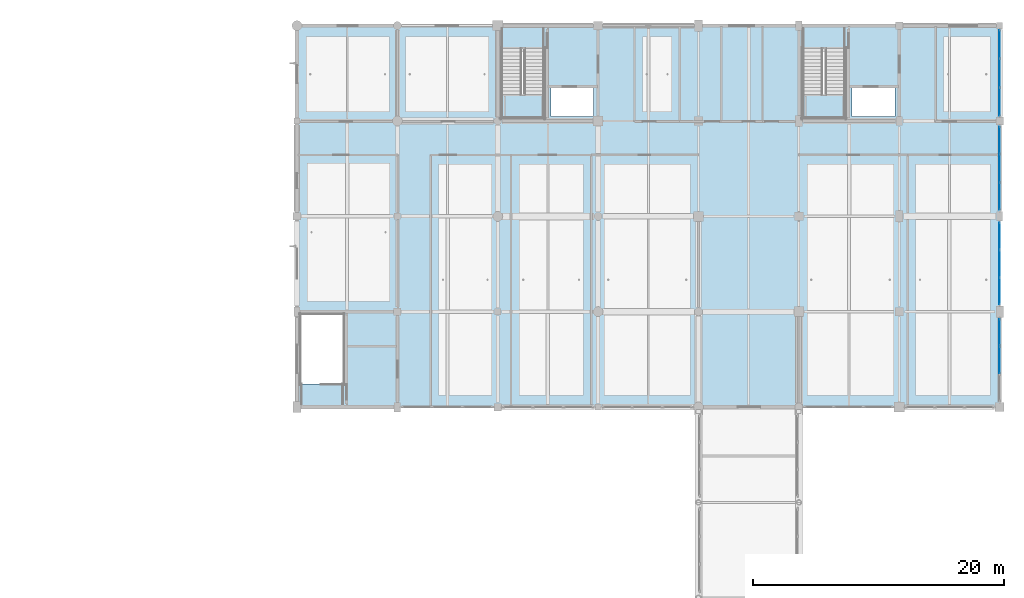
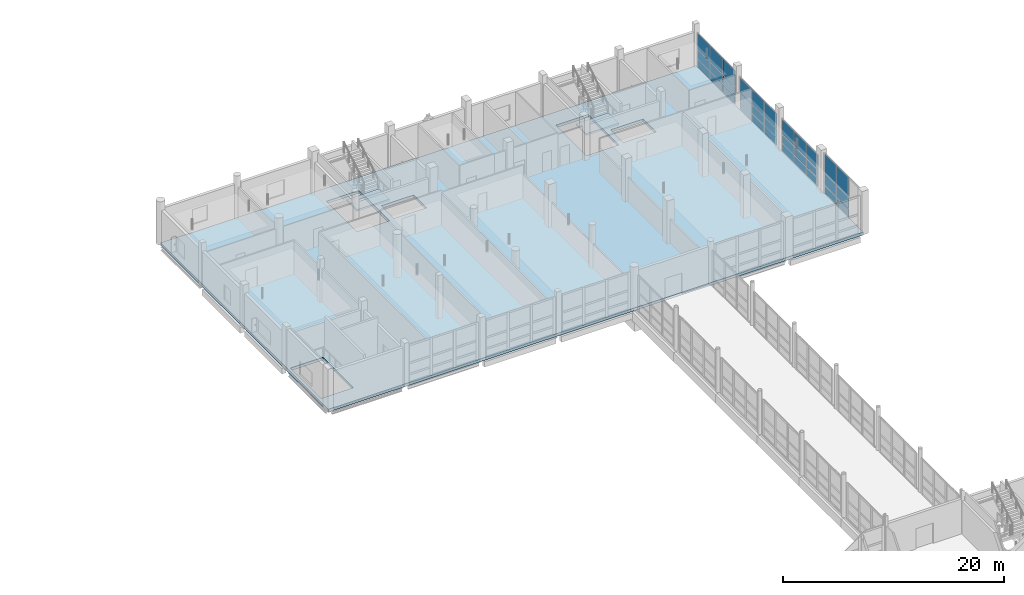
# One storey, part 78 of 147: 33 plates, 3 slabs, 6 elements without a shape of their own.
"""IFC4 building model written with IfcOpenShell, lengths in metres."""

from ifc_helpers import new_model, si_unit, direction, frame, origin, origin_2d, place, context, subcontext, project, spatial, polyline, rectangle, outline, extrude, material, layer, layer_set, type_object, element, aggregate, save


model = new_model("IFC4")

# Units and contexts
model_context = context("Model", 3, precision=1e-05, world=origin(), true_north=direction((0.0, 1.0)))
body_context = subcontext(model_context, "Body", "Model", "MODEL_VIEW")
ifc_project = project(units=[si_unit("LENGTHUNIT", "METRE"), si_unit("AREAUNIT", "SQUARE_METRE"), si_unit("VOLUMEUNIT", "CUBIC_METRE"), si_unit("PLANEANGLEUNIT", "RADIAN"), si_unit("MASSUNIT", "GRAM", prefix="KILO")], contexts=[model_context])

# Site, building, storey
site_placement = place(None, origin())
site = spatial("IfcSite", under=ifc_project, at=site_placement, CompositionType="ELEMENT")
building_placement = place(site_placement, origin())
building = spatial("IfcBuilding", under=site, at=building_placement, Name="Khelvaren Railside Concert Hall", CompositionType="ELEMENT")
storey_placement = place(building_placement, frame((0.0, 0.0, 5.39990234375)))
storey = spatial("IfcBuildingStorey", under=building, at=storey_placement, Name="L01", CompositionType="ELEMENT", Elevation=5.39990234375)

# Curtain wall, plates
ifc_material_1 = material(Name="Triple-glazed solar-control glass", Category="glass")
curtain_wall_type_1 = type_object("IfcCurtainWallType", Name="CW88", PredefinedType="USERDEFINED", material=ifc_material_1)
curtain_wall_1_placement = place(storey_placement, origin())
curtain_wall_1 = element("IfcCurtainWall", 1, at=curtain_wall_1_placement, inside=storey, type_object=curtain_wall_type_1, Name="Unitised Curtain Wall CW-V5-L01-E-91", ObjectType="UNITISED CURTAIN WALL", PredefinedType="USERDEFINED")
ifc_layer_1 = layer(ifc_material_1, 0.035888671875)
ifc_layer_set_1 = layer_set([ifc_layer_1], Name="Triple-glazed solar-control glass")
plate_type_1 = type_object("IfcPlateType", Name="CWP53", PredefinedType="CURTAIN_PANEL", material=ifc_layer_set_1)
plate_1_placement = place(storey_placement, frame((184.0, 97.228759765625, 0.0751953125), z_axis=(0.0, 0.0, 1.0), x_axis=(0.0, -1.0, 0.0)))
plate_1 = element("IfcPlate", 2, at=plate_1_placement, type_object=plate_type_1, Name="CW88 panel 1.1", PredefinedType="CURTAIN_PANEL", context=body_context, shape_type="SweptSolid", body=[
    extrude(rectangle(XDim=2.097412109375, YDim=0.035888671875, at=origin_2d()), origin(), (0.0, 0.0, 1.0), 0.83740234375),
])
plate_2_placement = place(storey_placement, frame((184.0, 97.228759765625, 0.987548828125), z_axis=(0.0, 0.0, 1.0), x_axis=(0.0, -1.0, 0.0)))
plate_2 = element("IfcPlate", 3, at=plate_2_placement, type_object=plate_type_1, Name="CW88 panel 1.2", PredefinedType="CURTAIN_PANEL", context=body_context, shape_type="SweptSolid", body=[
    extrude(rectangle(XDim=2.097412109375, YDim=0.035888671875, at=origin_2d()), origin(), (0.0, 0.0, 1.0), 0.873046875),
])
plate_3_placement = place(storey_placement, frame((184.0, 97.228759765625, 1.935546875), z_axis=(0.0, 0.0, 1.0), x_axis=(0.0, -1.0, 0.0)))
plate_3 = element("IfcPlate", 4, at=plate_3_placement, type_object=plate_type_1, Name="CW88 panel 1.3", PredefinedType="CURTAIN_PANEL", context=body_context, shape_type="SweptSolid", body=[
    extrude(rectangle(XDim=2.097412109375, YDim=0.035888671875, at=origin_2d()), origin(), (0.0, 0.0, 1.0), 1.639404296875),
])
plate_4_placement = place(storey_placement, frame((184.0, 95.03759765625, 0.0751953125), z_axis=(0.0, 0.0, 1.0), x_axis=(0.0, -1.0, 0.0)))
plate_4 = element("IfcPlate", 5, at=plate_4_placement, type_object=plate_type_1, Name="CW88 panel 2.1", PredefinedType="CURTAIN_PANEL", context=body_context, shape_type="SweptSolid", body=[
    extrude(rectangle(XDim=2.135009765625, YDim=0.035888671875, at=origin_2d()), origin(), (0.0, 0.0, 1.0), 0.83740234375),
])
plate_5_placement = place(storey_placement, frame((184.0, 95.03759765625, 0.987548828125), z_axis=(0.0, 0.0, 1.0), x_axis=(0.0, -1.0, 0.0)))
plate_5 = element("IfcPlate", 6, at=plate_5_placement, type_object=plate_type_1, Name="CW88 panel 2.2", PredefinedType="CURTAIN_PANEL", context=body_context, shape_type="SweptSolid", body=[
    extrude(rectangle(XDim=2.135009765625, YDim=0.035888671875, at=origin_2d()), origin(), (0.0, 0.0, 1.0), 0.873046875),
])
plate_6_placement = place(storey_placement, frame((184.0, 95.03759765625, 1.935546875), z_axis=(0.0, 0.0, 1.0), x_axis=(0.0, -1.0, 0.0)))
plate_6 = element("IfcPlate", 7, at=plate_6_placement, type_object=plate_type_1, Name="CW88 panel 2.3", PredefinedType="CURTAIN_PANEL", context=body_context, shape_type="SweptSolid", body=[
    extrude(rectangle(XDim=2.135009765625, YDim=0.035888671875, at=origin_2d()), origin(), (0.0, 0.0, 1.0), 1.639404296875),
])
plate_7_placement = place(storey_placement, frame((184.0, 92.84619140625, 0.0751953125), z_axis=(0.0, 0.0, 1.0), x_axis=(0.0, -1.0, 0.0)))
plate_7 = element("IfcPlate", 8, at=plate_7_placement, type_object=plate_type_1, Name="CW88 panel 3.1", PredefinedType="CURTAIN_PANEL", context=body_context, shape_type="SweptSolid", body=[
    extrude(rectangle(XDim=2.097412109375, YDim=0.035888671875, at=origin_2d()), origin(), (0.0, 0.0, 1.0), 0.83740234375),
])
plate_8_placement = place(storey_placement, frame((184.0, 92.84619140625, 0.987548828125), z_axis=(0.0, 0.0, 1.0), x_axis=(0.0, -1.0, 0.0)))
plate_8 = element("IfcPlate", 9, at=plate_8_placement, type_object=plate_type_1, Name="CW88 panel 3.2", PredefinedType="CURTAIN_PANEL", context=body_context, shape_type="SweptSolid", body=[
    extrude(rectangle(XDim=2.097412109375, YDim=0.035888671875, at=origin_2d()), origin(), (0.0, 0.0, 1.0), 0.873046875),
])
plate_9_placement = place(storey_placement, frame((184.0, 92.84619140625, 1.935546875), z_axis=(0.0, 0.0, 1.0), x_axis=(0.0, -1.0, 0.0)))
plate_9 = element("IfcPlate", 10, at=plate_9_placement, type_object=plate_type_1, Name="CW88 panel 3.3", PredefinedType="CURTAIN_PANEL", context=body_context, shape_type="SweptSolid", body=[
    extrude(rectangle(XDim=2.097412109375, YDim=0.035888671875, at=origin_2d()), origin(), (0.0, 0.0, 1.0), 1.639404296875),
])
aggregate(curtain_wall_1, [plate_1, plate_2, plate_3, plate_4, plate_5, plate_6, plate_7, plate_8, plate_9])

curtain_wall_type_2 = type_object("IfcCurtainWallType", Name="CW14", PredefinedType="USERDEFINED", material=ifc_material_1)
curtain_wall_2_placement = place(storey_placement, origin())
curtain_wall_2 = element("IfcCurtainWall", 11, at=curtain_wall_2_placement, inside=storey, type_object=curtain_wall_type_2, Name="Unitised Curtain Wall CW-V5-L01-E-99", ObjectType="UNITISED CURTAIN WALL", PredefinedType="USERDEFINED")
plate_10_placement = place(storey_placement, frame((184.0, 104.878662109375, 0.0751953125), z_axis=(0.0, 0.0, 1.0), x_axis=(0.0, -1.0, 0.0)))
plate_10 = element("IfcPlate", 12, at=plate_10_placement, type_object=plate_type_1, Name="CW14 panel 1.1", PredefinedType="CURTAIN_PANEL", context=body_context, shape_type="SweptSolid", body=[
    extrude(rectangle(XDim=2.1474609375, YDim=0.035888671875, at=origin_2d()), origin(), (0.0, 0.0, 1.0), 0.83740234375),
])
plate_11_placement = place(storey_placement, frame((184.0, 104.878662109375, 0.987548828125), z_axis=(0.0, 0.0, 1.0), x_axis=(0.0, -1.0, 0.0)))
plate_11 = element("IfcPlate", 13, at=plate_11_placement, type_object=plate_type_1, Name="CW14 panel 1.2", PredefinedType="CURTAIN_PANEL", context=body_context, shape_type="SweptSolid", body=[
    extrude(rectangle(XDim=2.1474609375, YDim=0.035888671875, at=origin_2d()), origin(), (0.0, 0.0, 1.0), 0.873046875),
])
plate_12_placement = place(storey_placement, frame((184.0, 104.878662109375, 1.935546875), z_axis=(0.0, 0.0, 1.0), x_axis=(0.0, -1.0, 0.0)))
plate_12 = element("IfcPlate", 14, at=plate_12_placement, type_object=plate_type_1, Name="CW14 panel 1.3", PredefinedType="CURTAIN_PANEL", context=body_context, shape_type="SweptSolid", body=[
    extrude(rectangle(XDim=2.1474609375, YDim=0.035888671875, at=origin_2d()), origin(), (0.0, 0.0, 1.0), 1.639404296875),
])
plate_13_placement = place(storey_placement, frame((184.0, 102.637451171875, 0.0751953125), z_axis=(0.0, 0.0, 1.0), x_axis=(0.0, -1.0, 0.0)))
plate_13 = element("IfcPlate", 15, at=plate_13_placement, type_object=plate_type_1, Name="CW14 panel 2.1", PredefinedType="CURTAIN_PANEL", context=body_context, shape_type="SweptSolid", body=[
    extrude(rectangle(XDim=2.18505859375, YDim=0.035888671875, at=origin_2d()), origin(), (0.0, 0.0, 1.0), 0.83740234375),
])
plate_14_placement = place(storey_placement, frame((184.0, 102.637451171875, 0.987548828125), z_axis=(0.0, 0.0, 1.0), x_axis=(0.0, -1.0, 0.0)))
plate_14 = element("IfcPlate", 16, at=plate_14_placement, type_object=plate_type_1, Name="CW14 panel 2.2", PredefinedType="CURTAIN_PANEL", context=body_context, shape_type="SweptSolid", body=[
    extrude(rectangle(XDim=2.18505859375, YDim=0.035888671875, at=origin_2d()), origin(), (0.0, 0.0, 1.0), 0.873046875),
])
plate_15_placement = place(storey_placement, frame((184.0, 102.637451171875, 1.935546875), z_axis=(0.0, 0.0, 1.0), x_axis=(0.0, -1.0, 0.0)))
plate_15 = element("IfcPlate", 17, at=plate_15_placement, type_object=plate_type_1, Name="CW14 panel 2.3", PredefinedType="CURTAIN_PANEL", context=body_context, shape_type="SweptSolid", body=[
    extrude(rectangle(XDim=2.18505859375, YDim=0.035888671875, at=origin_2d()), origin(), (0.0, 0.0, 1.0), 1.639404296875),
])
plate_16_placement = place(storey_placement, frame((184.0, 100.396240234375, 0.0751953125), z_axis=(0.0, 0.0, 1.0), x_axis=(0.0, -1.0, 0.0)))
plate_16 = element("IfcPlate", 18, at=plate_16_placement, type_object=plate_type_1, Name="CW14 panel 3.1", PredefinedType="CURTAIN_PANEL", context=body_context, shape_type="SweptSolid", body=[
    extrude(rectangle(XDim=2.1474609375, YDim=0.035888671875, at=origin_2d()), origin(), (0.0, 0.0, 1.0), 0.83740234375),
])
plate_17_placement = place(storey_placement, frame((184.0, 100.396240234375, 0.987548828125), z_axis=(0.0, 0.0, 1.0), x_axis=(0.0, -1.0, 0.0)))
plate_17 = element("IfcPlate", 19, at=plate_17_placement, type_object=plate_type_1, Name="CW14 panel 3.2", PredefinedType="CURTAIN_PANEL", context=body_context, shape_type="SweptSolid", body=[
    extrude(rectangle(XDim=2.1474609375, YDim=0.035888671875, at=origin_2d()), origin(), (0.0, 0.0, 1.0), 0.873046875),
])
plate_18_placement = place(storey_placement, frame((184.0, 100.396240234375, 1.935546875), z_axis=(0.0, 0.0, 1.0), x_axis=(0.0, -1.0, 0.0)))
plate_18 = element("IfcPlate", 20, at=plate_18_placement, type_object=plate_type_1, Name="CW14 panel 3.3", PredefinedType="CURTAIN_PANEL", context=body_context, shape_type="SweptSolid", body=[
    extrude(rectangle(XDim=2.1474609375, YDim=0.035888671875, at=origin_2d()), origin(), (0.0, 0.0, 1.0), 1.639404296875),
])
aggregate(curtain_wall_2, [plate_10, plate_11, plate_12, plate_13, plate_14, plate_15, plate_16, plate_17, plate_18])

ifc_material_2 = material(Name="Acoustic laminated crystal facade glass", Category="glass")
curtain_wall_type_3 = type_object("IfcCurtainWallType", Name="CW66", PredefinedType="USERDEFINED", material=ifc_material_2)
curtain_wall_3_placement = place(storey_placement, origin())
curtain_wall_3 = element("IfcCurtainWall", 21, at=curtain_wall_3_placement, inside=storey, type_object=curtain_wall_type_3, Name="Unitised Curtain Wall CW-V5-L01-E-84", ObjectType="UNITISED CURTAIN WALL", PredefinedType="USERDEFINED")
ifc_layer_2 = layer(ifc_material_2, 0.0400390625)
ifc_layer_set_2 = layer_set([ifc_layer_2], Name="Acoustic laminated crystal facade glass")
plate_type_2 = type_object("IfcPlateType", Name="CWP77", PredefinedType="CURTAIN_PANEL", material=ifc_layer_set_2)
plate_19_placement = place(storey_placement, frame((184.0, 89.543701171875, 0.0849609375), z_axis=(0.0, 0.0, 1.0), x_axis=(0.0, -1.0, 0.0)))
plate_19 = element("IfcPlate", 22, at=plate_19_placement, type_object=plate_type_2, Name="CW66 panel 1.1", PredefinedType="CURTAIN_PANEL", context=body_context, shape_type="SweptSolid", body=[
    extrude(rectangle(XDim=2.08740234375, YDim=0.0400390625, at=origin_2d()), origin(), (0.0, 0.0, 1.0), 0.822509765625),
])
plate_20_placement = place(storey_placement, frame((184.0, 89.543701171875, 0.99267578125), z_axis=(0.0, 0.0, 1.0), x_axis=(0.0, -1.0, 0.0)))
plate_20 = element("IfcPlate", 23, at=plate_20_placement, type_object=plate_type_2, Name="CW66 panel 1.2", PredefinedType="CURTAIN_PANEL", context=body_context, shape_type="SweptSolid", body=[
    extrude(rectangle(XDim=2.08740234375, YDim=0.0400390625, at=origin_2d()), origin(), (0.0, 0.0, 1.0), 1.310302734375),
])
plate_21_placement = place(storey_placement, frame((184.0, 89.543701171875, 2.3876953125), z_axis=(0.0, 0.0, 1.0), x_axis=(0.0, -1.0, 0.0)))
plate_21 = element("IfcPlate", 24, at=plate_21_placement, type_object=plate_type_2, Name="CW66 panel 1.3", PredefinedType="CURTAIN_PANEL", context=body_context, shape_type="SweptSolid", body=[
    extrude(rectangle(XDim=2.08740234375, YDim=0.0400390625, at=origin_2d()), origin(), (0.0, 0.0, 1.0), 2.037353515625),
])
plate_22_placement = place(storey_placement, frame((184.0, 87.35009765625, 0.0849609375), z_axis=(0.0, 0.0, 1.0), x_axis=(0.0, -1.0, 0.0)))
plate_22 = element("IfcPlate", 25, at=plate_22_placement, type_object=plate_type_2, Name="CW66 panel 2.1", PredefinedType="CURTAIN_PANEL", context=body_context, shape_type="SweptSolid", body=[
    extrude(rectangle(XDim=2.1298828125, YDim=0.0400390625, at=origin_2d()), origin(), (0.0, 0.0, 1.0), 0.822509765625),
])
plate_23_placement = place(storey_placement, frame((184.0, 87.35009765625, 0.99267578125), z_axis=(0.0, 0.0, 1.0), x_axis=(0.0, -1.0, 0.0)))
plate_23 = element("IfcPlate", 26, at=plate_23_placement, type_object=plate_type_2, Name="CW66 panel 2.2", PredefinedType="CURTAIN_PANEL", context=body_context, shape_type="SweptSolid", body=[
    extrude(rectangle(XDim=2.1298828125, YDim=0.0400390625, at=origin_2d()), origin(), (0.0, 0.0, 1.0), 1.310302734375),
])
plate_24_placement = place(storey_placement, frame((184.0, 87.35009765625, 2.3876953125), z_axis=(0.0, 0.0, 1.0), x_axis=(0.0, -1.0, 0.0)))
plate_24 = element("IfcPlate", 27, at=plate_24_placement, type_object=plate_type_2, Name="CW66 panel 2.3", PredefinedType="CURTAIN_PANEL", context=body_context, shape_type="SweptSolid", body=[
    extrude(rectangle(XDim=2.1298828125, YDim=0.0400390625, at=origin_2d()), origin(), (0.0, 0.0, 1.0), 2.037353515625),
])
aggregate(curtain_wall_3, [plate_19, plate_20, plate_21, plate_22, plate_23, plate_24])

ifc_material_3 = material(Name="Double-glazed low-E dark acoustic glass", Category="glass")
curtain_wall_type_4 = type_object("IfcCurtainWallType", Name="CW69", PredefinedType="USERDEFINED", material=ifc_material_3)
curtain_wall_4_placement = place(storey_placement, origin())
curtain_wall_4 = element("IfcCurtainWall", 28, at=curtain_wall_4_placement, inside=storey, type_object=curtain_wall_type_4, Name="Unitised Curtain Wall CW-V5-L01-E-106", ObjectType="UNITISED CURTAIN WALL", PredefinedType="USERDEFINED")
ifc_layer_3 = layer(ifc_material_3, 0.031982421875)
ifc_layer_set_3 = layer_set([ifc_layer_3], Name="Double-glazed low-E dark acoustic glass")
plate_type_3 = type_object("IfcPlateType", Name="CWP84", PredefinedType="CURTAIN_PANEL", material=ifc_layer_set_3)
plate_25_placement = place(storey_placement, frame((184.0, 112.513671875, 0.065185546875), z_axis=(0.0, 0.0, 1.0), x_axis=(0.0, -1.0, 0.0)))
plate_25 = element("IfcPlate", 29, at=plate_25_placement, type_object=plate_type_3, Name="CW69 panel 1.1", PredefinedType="CURTAIN_PANEL", context=body_context, shape_type="SweptSolid", body=[
    extrude(rectangle(XDim=2.20751953125, YDim=0.031982421875, at=origin_2d()), origin(), (0.0, 0.0, 1.0), 0.8525390625),
])
plate_26_placement = place(storey_placement, frame((184.0, 112.513671875, 0.982421875), z_axis=(0.0, 0.0, 1.0), x_axis=(0.0, -1.0, 0.0)))
plate_26 = element("IfcPlate", 30, at=plate_26_placement, type_object=plate_type_3, Name="CW69 panel 1.2", PredefinedType="CURTAIN_PANEL", context=body_context, shape_type="SweptSolid", body=[
    extrude(rectangle(XDim=2.20751953125, YDim=0.031982421875, at=origin_2d()), origin(), (0.0, 0.0, 1.0), 0.987060546875),
])
plate_27_placement = place(storey_placement, frame((184.0, 112.513671875, 2.03466796875), z_axis=(0.0, 0.0, 1.0), x_axis=(0.0, -1.0, 0.0)))
plate_27 = element("IfcPlate", 31, at=plate_27_placement, type_object=plate_type_3, Name="CW69 panel 1.3", PredefinedType="CURTAIN_PANEL", context=body_context, shape_type="SweptSolid", body=[
    extrude(rectangle(XDim=2.20751953125, YDim=0.031982421875, at=origin_2d()), origin(), (0.0, 0.0, 1.0), 1.75048828125),
])
plate_28_placement = place(storey_placement, frame((184.0, 110.22509765625, 0.065185546875), z_axis=(0.0, 0.0, 1.0), x_axis=(0.0, -1.0, 0.0)))
plate_28 = element("IfcPlate", 32, at=plate_28_placement, type_object=plate_type_3, Name="CW69 panel 2.1", PredefinedType="CURTAIN_PANEL", context=body_context, shape_type="SweptSolid", body=[
    extrude(rectangle(XDim=2.239990234375, YDim=0.031982421875, at=origin_2d()), origin(), (0.0, 0.0, 1.0), 0.8525390625),
])
plate_29_placement = place(storey_placement, frame((184.0, 110.22509765625, 0.982421875), z_axis=(0.0, 0.0, 1.0), x_axis=(0.0, -1.0, 0.0)))
plate_29 = element("IfcPlate", 33, at=plate_29_placement, type_object=plate_type_3, Name="CW69 panel 2.2", PredefinedType="CURTAIN_PANEL", context=body_context, shape_type="SweptSolid", body=[
    extrude(rectangle(XDim=2.239990234375, YDim=0.031982421875, at=origin_2d()), origin(), (0.0, 0.0, 1.0), 0.987060546875),
])
plate_30_placement = place(storey_placement, frame((184.0, 110.22509765625, 2.03466796875), z_axis=(0.0, 0.0, 1.0), x_axis=(0.0, -1.0, 0.0)))
plate_30 = element("IfcPlate", 34, at=plate_30_placement, type_object=plate_type_3, Name="CW69 panel 2.3", PredefinedType="CURTAIN_PANEL", context=body_context, shape_type="SweptSolid", body=[
    extrude(rectangle(XDim=2.239990234375, YDim=0.031982421875, at=origin_2d()), origin(), (0.0, 0.0, 1.0), 1.75048828125),
])
plate_31_placement = place(storey_placement, frame((184.0, 107.936279296875, 0.065185546875), z_axis=(0.0, 0.0, 1.0), x_axis=(0.0, -1.0, 0.0)))
plate_31 = element("IfcPlate", 35, at=plate_31_placement, type_object=plate_type_3, Name="CW69 panel 3.1", PredefinedType="CURTAIN_PANEL", context=body_context, shape_type="SweptSolid", body=[
    extrude(rectangle(XDim=2.20751953125, YDim=0.031982421875, at=origin_2d()), origin(), (0.0, 0.0, 1.0), 0.8525390625),
])
plate_32_placement = place(storey_placement, frame((184.0, 107.936279296875, 0.982421875), z_axis=(0.0, 0.0, 1.0), x_axis=(0.0, -1.0, 0.0)))
plate_32 = element("IfcPlate", 36, at=plate_32_placement, type_object=plate_type_3, Name="CW69 panel 3.2", PredefinedType="CURTAIN_PANEL", context=body_context, shape_type="SweptSolid", body=[
    extrude(rectangle(XDim=2.20751953125, YDim=0.031982421875, at=origin_2d()), origin(), (0.0, 0.0, 1.0), 0.987060546875),
])
plate_33_placement = place(storey_placement, frame((184.0, 107.936279296875, 2.03466796875), z_axis=(0.0, 0.0, 1.0), x_axis=(0.0, -1.0, 0.0)))
plate_33 = element("IfcPlate", 37, at=plate_33_placement, type_object=plate_type_3, Name="CW69 panel 3.3", PredefinedType="CURTAIN_PANEL", context=body_context, shape_type="SweptSolid", body=[
    extrude(rectangle(XDim=2.20751953125, YDim=0.031982421875, at=origin_2d()), origin(), (0.0, 0.0, 1.0), 1.75048828125),
])
aggregate(curtain_wall_4, [plate_25, plate_26, plate_27, plate_28, plate_29, plate_30, plate_31, plate_32, plate_33])

# Slab
ifc_material_4 = material(Name="Concrete C40/50", Category="concrete")
ifc_layer_4 = layer(ifc_material_4, 0.300048828125)
ifc_layer_set_4 = layer_set([ifc_layer_4], Name="Concrete C40/50")
slab_type_1 = type_object("IfcSlabType", Name="FS86", PredefinedType="FLOOR", material=ifc_layer_set_4)
slab_1_placement = place(storey_placement, frame((0.0, 0.0, -0.2998046875)))
element("IfcSlab", 38, at=slab_1_placement, inside=storey, type_object=slab_type_1, Name="V5 L01 Structural Floor Slab", PredefinedType="FLOOR", context=body_context, shape_type="SweptSolid", body=[
    extrude(outline(polyline([(128.0, 83.60009765625), (184.0, 83.60009765625), (184.0, 114.0), (128.0, 114.0), (128.0, 83.60009765625)]), holes=[polyline([(144.300048828125, 112.159912109375), (144.300048828125, 106.639892578125), (147.699951171875, 106.639892578125), (147.699951171875, 112.159912109375), (144.300048828125, 112.159912109375)]), polyline([(148.25, 106.75), (151.64990234375, 106.75), (151.64990234375, 109.050048828125), (148.25, 109.050048828125), (148.25, 106.75)]), polyline([(168.300048828125, 112.159912109375), (168.300048828125, 106.639892578125), (171.699951171875, 106.639892578125), (171.699951171875, 112.159912109375), (168.300048828125, 112.159912109375)]), polyline([(172.25, 106.75), (175.64990234375, 106.75), (175.64990234375, 109.050048828125), (172.25, 109.050048828125), (172.25, 106.75)]), polyline([(131.699951171875, 85.43994140625), (131.699951171875, 90.9599609375), (128.300048828125, 90.9599609375), (128.300048828125, 85.43994140625), (131.699951171875, 85.43994140625)])]), origin(), (0.0, 0.0, 1.0), 0.2998046875),
])

# Stair, slab
stair_type = type_object("IfcStairType", Name="ST52", PredefinedType="HALF_TURN_STAIR", material=ifc_material_4)
stair_1_placement = place(storey_placement, origin())
stair_1 = element("IfcStair", 39, at=stair_1_placement, inside=storey, type_object=stair_type, Name="L01 Core Exit Stair ST-09", PredefinedType="HALF_TURN_STAIR")
ifc_layer_5 = layer(ifc_material_4, 0.199951171875)
ifc_layer_set_5 = layer_set([ifc_layer_5], Name="Concrete C40/50")
slab_type_2 = type_object("IfcSlabType", Name="LND67", PredefinedType="LANDING", material=ifc_layer_set_5)
slab_2_placement = place(storey_placement, frame((0.0, 0.0, 2.2001953125)))
slab_2 = element("IfcSlab", 40, at=slab_2_placement, type_object=slab_type_2, Name="ST-09 landing 1", PredefinedType="LANDING", context=body_context, shape_type="SweptSolid", body=[
    extrude(outline(polyline([(144.300048828125, 108.52001953125), (144.300048828125, 106.639892578125), (147.699951171875, 106.639892578125), (147.699951171875, 108.52001953125), (144.300048828125, 108.52001953125)])), origin(), (0.0, 0.0, 1.0), 0.199951171875),
])
aggregate(stair_1, [slab_2])

stair_2_placement = place(storey_placement, origin())
stair_2 = element("IfcStair", 41, at=stair_2_placement, inside=storey, type_object=stair_type, Name="L01 Core Exit Stair ST-10", PredefinedType="HALF_TURN_STAIR")
slab_3_placement = place(storey_placement, frame((0.0, 0.0, 2.2001953125)))
slab_3 = element("IfcSlab", 42, at=slab_3_placement, type_object=slab_type_2, Name="ST-10 landing 1", PredefinedType="LANDING", context=body_context, shape_type="SweptSolid", body=[
    extrude(outline(polyline([(168.300048828125, 108.52001953125), (168.300048828125, 106.639892578125), (171.699951171875, 106.639892578125), (171.699951171875, 108.52001953125), (168.300048828125, 108.52001953125)])), origin(), (0.0, 0.0, 1.0), 0.199951171875),
])
aggregate(stair_2, [slab_3])

save(model, "model.ifc")
